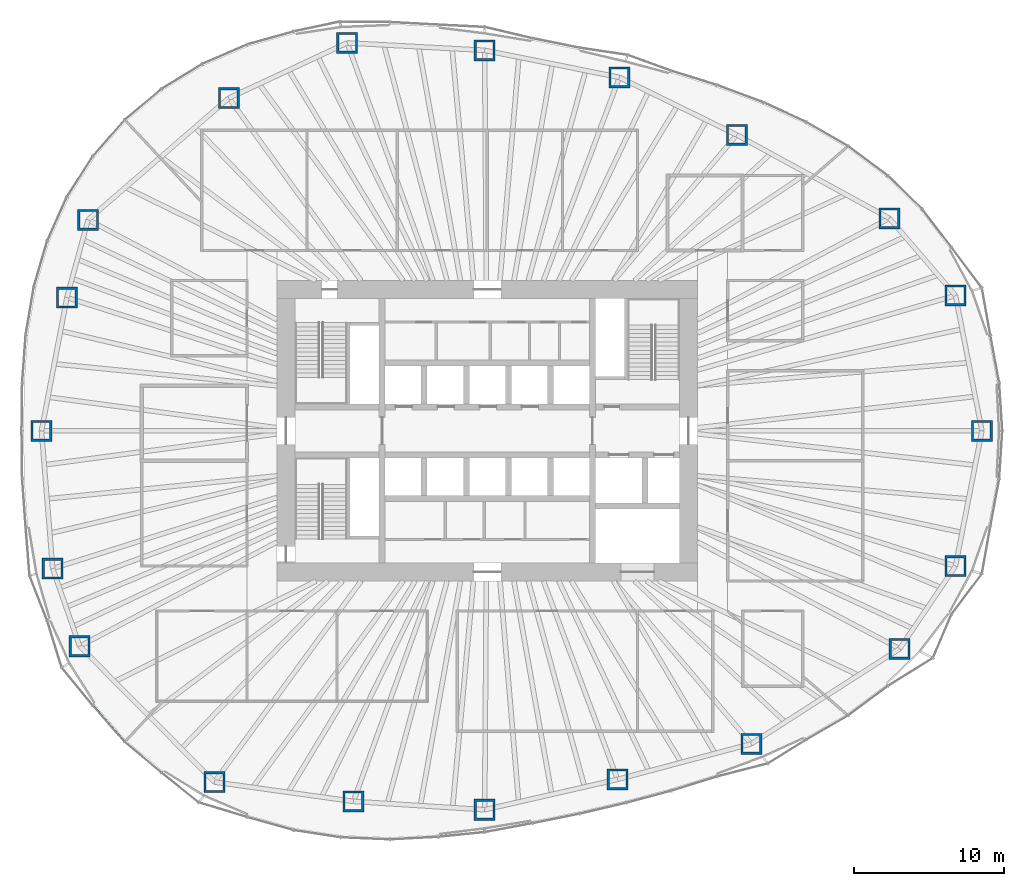
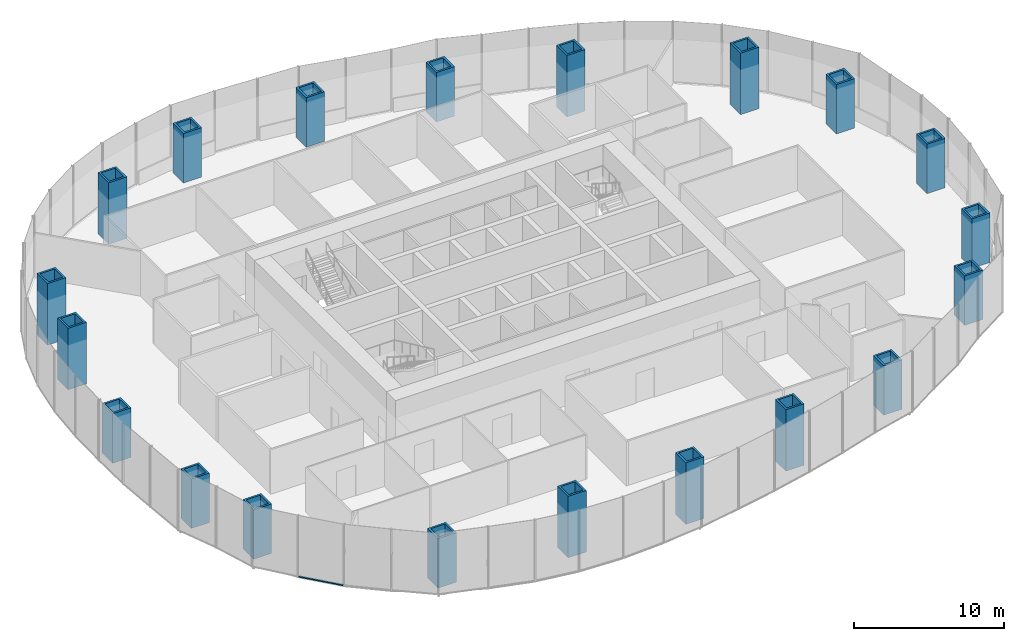
# One storey, part 1 of 18: 20 columns, 1 member, 1 element without a shape of its own.
"""IFC4 building model written with IfcOpenShell, lengths in metres."""

from ifc_helpers import new_model, si_unit, direction, frame, origin, origin_2d, place, context, subcontext, project, spatial, rectangle, hollow_rectangle, extrude, material, material_profile, profile_set, type_object, element, aggregate, save


model = new_model("IFC4")

# Units and contexts
model_context = context("Model", 3, precision=1e-05, world=origin(), true_north=direction((0.0, 1.0)))
body_context = subcontext(model_context, "Body", "Model", "MODEL_VIEW")
ifc_project = project(units=[si_unit("LENGTHUNIT", "METRE"), si_unit("AREAUNIT", "SQUARE_METRE"), si_unit("VOLUMEUNIT", "CUBIC_METRE"), si_unit("PLANEANGLEUNIT", "RADIAN"), si_unit("MASSUNIT", "GRAM", prefix="KILO")], contexts=[model_context])

# Site, building, storey
site_placement = place(None, origin())
site = spatial("IfcSite", under=ifc_project, at=site_placement, CompositionType="ELEMENT")
building_placement = place(site_placement, origin())
building = spatial("IfcBuilding", under=site, at=building_placement, Name="Ghaith Harvest Tower", CompositionType="ELEMENT")
storey_placement = place(building_placement, frame((0.0, 0.0, 95.0)))
storey = spatial("IfcBuildingStorey", under=building, at=storey_placement, Name="L19", CompositionType="ELEMENT", Elevation=95.0)

# Columns
ifc_material_1 = material(Name="Steel S460M", Category="steel")
ifc_material_profile_1 = material_profile(ifc_material_1, hollow_rectangle(XDim=1.39990234375, YDim=1.39990234375, WallThickness=0.14990234375, at=origin_2d()), Name="BOX1400X1400X150")
ifc_profile_set_1 = profile_set([ifc_material_profile_1], Name="Steel S460M")
column_type = type_object("IfcColumnType", Name="TS10 BOX1400X1400X150", PredefinedType="COLUMN", material=ifc_profile_set_1)
for number, where, z_axis, x_axis, name in (
    (1, (32.925048828125, 0.0, 0.0), (0.0, 0.0, 1.0), (1.0, 0.0, 0.0), "Perimeter column C01"),
    (2, (31.166015625, 9.008056640625, 0.0), (0.0, 0.0, 1.0), (1.0, 0.0, 0.0), "Perimeter column C02"),
):
    element("IfcColumn", number, at=place(storey_placement, frame(where, z_axis=z_axis, x_axis=x_axis)), inside=storey, type_object=column_type, Name=name, PredefinedType="COLUMN", context=body_context, shape_type="SweptSolid", body=[
        extrude(hollow_rectangle(XDim=1.39990234375, YDim=1.39990234375, WallThickness=0.14990234375, at=origin_2d()), origin(), (0.0, 0.0, 1.0), 4.02490234375),
    ])
for number, where, z_axis, x_axis, name in (
    (3, (26.763916015625, 14.14697265625, 0.0), (0.0, 0.0, 1.0), (1.0, 0.0, 0.0), "Perimeter column C03"),
    (4, (16.60791015625, 19.695068359375, 0.0), (0.0, 0.0, 1.0), (1.0, 0.0, 0.0), "Perimeter column C04"),
):
    element("IfcColumn", number, at=place(storey_placement, frame(where, z_axis=z_axis, x_axis=x_axis)), inside=storey, type_object=column_type, Name=name, PredefinedType="COLUMN", context=body_context, shape_type="SweptSolid", body=[
        extrude(hollow_rectangle(XDim=1.39990234375, YDim=1.39990234375, WallThickness=0.14990234375, at=origin_2d()), origin(), (0.0, 0.0, 1.0), 5.0),
    ])
for number, where, z_axis, x_axis, name in (
    (5, (8.794921875, 23.527099609375, 0.0), (0.0, 0.0, 1.0), (1.0, 0.0, 0.0), "Perimeter column C05"),
    (6, (-0.173095703125, 25.326904296875, 0.0), (0.0, 0.0, 1.0), (1.0, 0.0, 0.0), "Perimeter column C06"),
    (7, (-9.325927734375, 25.821044921875, 0.0), (0.0, 0.0, 1.0), (1.0, 0.0, 0.0), "Perimeter column C07"),
):
    element("IfcColumn", number, at=place(storey_placement, frame(where, z_axis=z_axis, x_axis=x_axis)), inside=storey, type_object=column_type, Name=name, PredefinedType="COLUMN", context=body_context, shape_type="SweptSolid", body=[
        extrude(hollow_rectangle(XDim=1.39990234375, YDim=1.39990234375, WallThickness=0.14990234375, at=origin_2d()), origin(), (0.0, 0.0, 1.0), 4.02490234375),
    ])
for number, where, z_axis, x_axis, name in (
    (8, (-17.201904296875, 22.14990234375, 0.0), (0.0, 0.0, 1.0), (1.0, 0.0, 0.0), "Perimeter column C08"),
    (9, (-26.572998046875, 14.0458984375, 0.0), (0.0, 0.0, 1.0), (1.0, 0.0, 0.0), "Perimeter column C09"),
    (10, (-27.98291015625, 8.867919921875, 0.0), (0.0, 0.0, 1.0), (1.0, 0.0, 0.0), "Perimeter column C10"),
):
    element("IfcColumn", number, at=place(storey_placement, frame(where, z_axis=z_axis, x_axis=x_axis)), inside=storey, type_object=column_type, Name=name, PredefinedType="COLUMN", context=body_context, shape_type="SweptSolid", body=[
        extrude(hollow_rectangle(XDim=1.39990234375, YDim=1.39990234375, WallThickness=0.14990234375, at=origin_2d()), origin(), (0.0, 0.0, 1.0), 5.0),
    ])
for number, where, z_axis, x_axis, name in (
    (11, (-29.675048828125, 0.0, 0.0), (0.0, 0.0, 1.0), (1.0, 0.0, 0.0), "Perimeter column C11"),
    (12, (-28.929931640625, -9.16796875, 0.0), (0.0, 0.0, 1.0), (1.0, 0.0, 0.0), "Perimeter column C12"),
    (13, (-27.132080078125, -14.341064453125, 0.0), (0.0, 0.0, 1.0), (1.0, 0.0, 0.0), "Perimeter column C13"),
    (14, (-18.157958984375, -23.3798828125, 0.0), (0.0, 0.0, 1.0), (1.0, 0.0, 0.0), "Perimeter column C14"),
):
    element("IfcColumn", number, at=place(storey_placement, frame(where, z_axis=z_axis, x_axis=x_axis)), inside=storey, type_object=column_type, Name=name, PredefinedType="COLUMN", context=body_context, shape_type="SweptSolid", body=[
        extrude(hollow_rectangle(XDim=1.39990234375, YDim=1.39990234375, WallThickness=0.14990234375, at=origin_2d()), origin(), (0.0, 0.0, 1.0), 4.02490234375),
    ])
for number, where, z_axis, x_axis, name in (
    (15, (-8.908935546875, -24.66796875, 0.0), (0.0, 0.0, 1.0), (1.0, 0.0, 0.0), "Perimeter column C15"),
    (16, (-0.173095703125, -25.22412109375, 0.0), (0.0, 0.0, 1.0), (1.0, 0.0, 0.0), "Perimeter column C16"),
    (17, (8.674072265625, -23.202880859375, 0.0), (0.0, 0.0, 1.0), (1.0, 0.0, 0.0), "Perimeter column C17"),
):
    element("IfcColumn", number, at=place(storey_placement, frame(where, z_axis=z_axis, x_axis=x_axis)), inside=storey, type_object=column_type, Name=name, PredefinedType="COLUMN", context=body_context, shape_type="SweptSolid", body=[
        extrude(hollow_rectangle(XDim=1.39990234375, YDim=1.39990234375, WallThickness=0.14990234375, at=origin_2d()), origin(), (0.0, 0.0, 1.0), 5.0),
    ])
for number, where, z_axis, x_axis, name in (
    (18, (17.572021484375, -20.8369140625, 0.0), (0.0, 0.0, 1.0), (1.0, 0.0, 0.0), "Perimeter column C18"),
    (19, (27.448974609375, -14.509033203125, 0.0), (0.0, 0.0, 1.0), (1.0, 0.0, 0.0), "Perimeter column C19"),
    (20, (31.166015625, -9.008056640625, 0.0), (0.0, 0.0, 1.0), (1.0, 0.0, 0.0), "Perimeter column C20"),
):
    element("IfcColumn", number, at=place(storey_placement, frame(where, z_axis=z_axis, x_axis=x_axis)), inside=storey, type_object=column_type, Name=name, PredefinedType="COLUMN", context=body_context, shape_type="SweptSolid", body=[
        extrude(hollow_rectangle(XDim=1.39990234375, YDim=1.39990234375, WallThickness=0.14990234375, at=origin_2d()), origin(), (0.0, 0.0, 1.0), 4.02490234375),
    ])

# Curtain wall, member
ifc_material_2 = material(Name="Black anodised aluminium and fritted glass", Category="aluminium")
curtain_wall_type = type_object("IfcCurtainWallType", Name="CW-F CURTAIN WALL", PredefinedType="NOTDEFINED", material=ifc_material_2)
curtain_wall_placement = place(storey_placement, origin())
curtain_wall = element("IfcCurtainWall", 21, at=curtain_wall_placement, inside=storey, type_object=curtain_wall_type, Name="Curtain wall CW-F bay 13 L19", PredefinedType="NOTDEFINED")
ifc_material_3 = material(Name="Aluminium, black anodised", Category="aluminium")
ifc_material_profile_2 = material_profile(ifc_material_3, rectangle(XDim=0.139892578125, YDim=0.080078125, at=origin_2d()), Name="CW-F TRANSOM 140x80")
ifc_profile_set_2 = profile_set([ifc_material_profile_2], Name="Aluminium, black anodised")
member_type = type_object("IfcMemberType", Name="CW-F TRANSOM 140x80", PredefinedType="USERDEFINED", material=ifc_profile_set_2)
member_placement = place(storey_placement, frame((-26.23681640625, -18.30419921875, 0.0400390625), z_axis=(0.65923052982, -0.751940894322, 0.0), x_axis=(0.751940894322, 0.65923052982, 0.0)))
member = element("IfcMember", 22, at=member_placement, type_object=member_type, Name="CW-F transom 1 bay 13 L19", ObjectType="TRANSOM", PredefinedType="USERDEFINED", context=body_context, shape_type="SweptSolid", body=[
    extrude(rectangle(XDim=0.139892578125, YDim=0.080078125, at=origin_2d()), origin(), (0.0, 0.0, 1.0), 3.1416015625),
])
aggregate(curtain_wall, [member])

save(model, "model.ifc")
